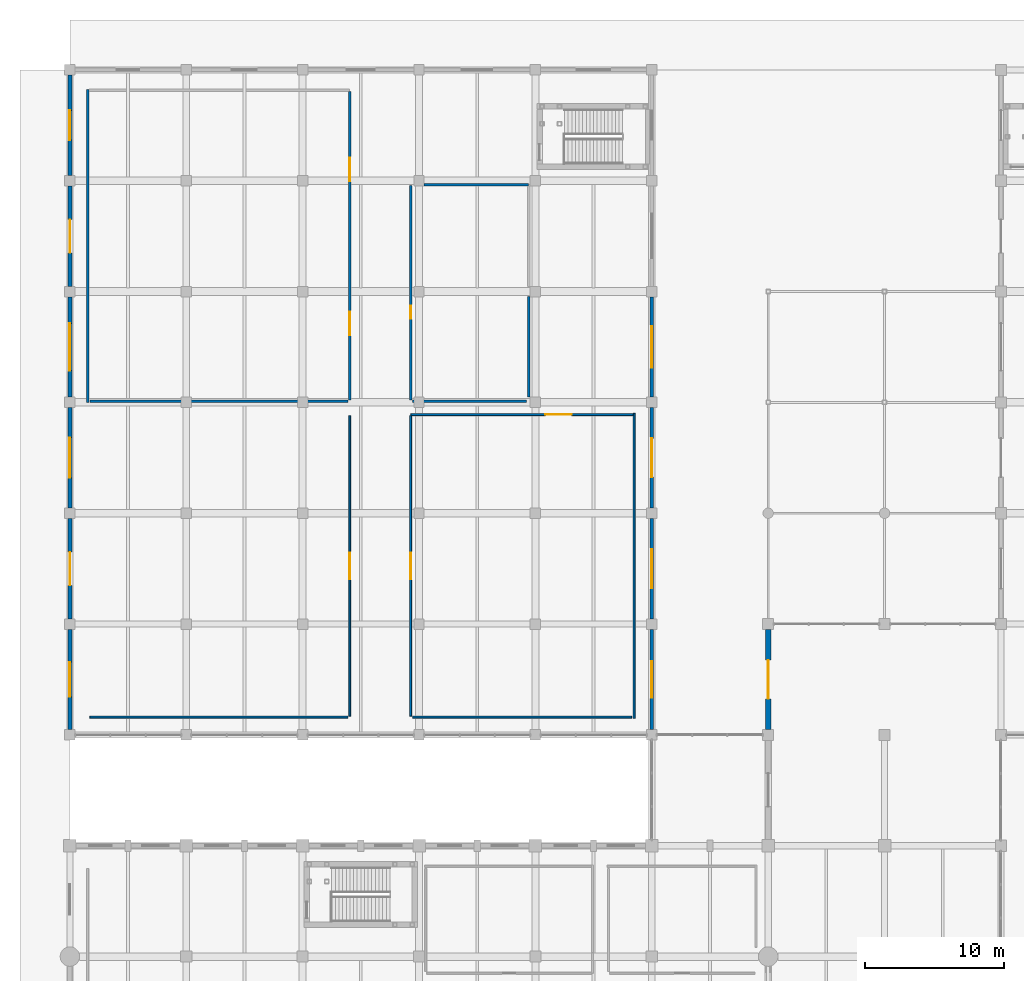
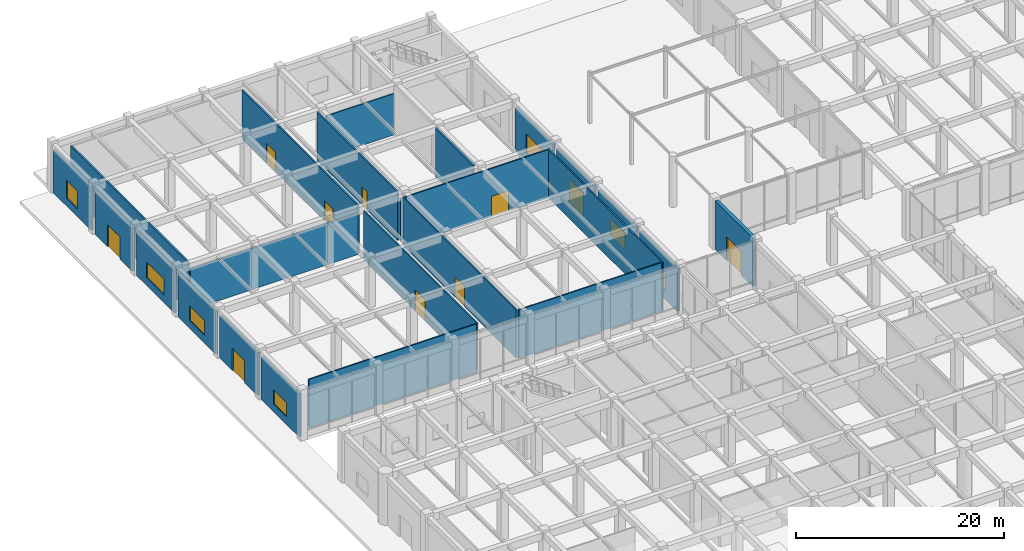
# One storey, part 54 of 76: 24 walls, 10 doors, 7 windows, 17 openings.
"""IFC4 building model written with IfcOpenShell, lengths in metres."""

from ifc_helpers import new_model, si_unit, direction, frame, frame_2d, origin, place, context, subcontext, project, spatial, rectangle, extrude, material, layer, layer_set, type_object, element, fill, save


model = new_model("IFC4")

# Units and contexts
model_context = context("Model", 3, precision=1e-05, world=origin(), true_north=direction((0.0, 1.0)))
body_context = subcontext(model_context, "Body", "Model", "MODEL_VIEW")
ifc_project = project(units=[si_unit("LENGTHUNIT", "METRE"), si_unit("AREAUNIT", "SQUARE_METRE"), si_unit("VOLUMEUNIT", "CUBIC_METRE"), si_unit("PLANEANGLEUNIT", "RADIAN"), si_unit("MASSUNIT", "GRAM", prefix="KILO")], contexts=[model_context])

# Site, building, storey
site_placement = place(None, origin())
site = spatial("IfcSite", under=ifc_project, at=site_placement, CompositionType="ELEMENT")
building_placement = place(site_placement, origin())
building = spatial("IfcBuilding", under=site, at=building_placement, Name="Naruveol Harbour Congress Hotel", CompositionType="ELEMENT")
storey_placement = place(building_placement, origin())
storey = spatial("IfcBuildingStorey", under=building, at=storey_placement, Name="L00", CompositionType="ELEMENT", Elevation=0.0)

# Wall, openings, doors
ifc_material_1 = material(Name="Autoclaved Aerated Concrete Block", Category="concrete")
ifc_layer_1 = layer(ifc_material_1, 0.179931640625)
ifc_layer_set_1 = layer_set([ifc_layer_1], Name="Autoclaved Aerated Concrete Block")
wall_type_1 = type_object("IfcWallType", Name="ACOUSTIC HALL PARTITION WALL 180 EI60", PredefinedType="PARTITIONING", material=ifc_layer_set_1)
wall_1_placement = place(storey_placement, frame((20.199951171875, 88.159912109375, 0.0), z_axis=(0.0, 0.0, 1.0), x_axis=(0.0, 1.0, 0.0)))
wall_1 = element("IfcWall", 1, at=wall_1_placement, inside=storey, type_object=wall_type_1, Name="Mineral Hydrotherapy and Sauna Suite east entry wall PW-180", PredefinedType="PARTITIONING", context=body_context, shape_type="SweptSolid", body=[
    extrude(rectangle(XDim=22.280029296875, YDim=0.179931640625, at=frame_2d((11.14013671875, 0.0))), origin(), (0.0, 0.0, 1.0), 5.675048828125),
])
opening_1_placement = place(wall_1_placement, frame((4.699951171875, 0.0, 0.0)))
opening_1 = element("IfcOpeningElement", 2, at=opening_1_placement, cuts=wall_1, Name="Opening ID-MT-20", PredefinedType="OPENING", context=body_context, shape_type="SweptSolid", body=[
    extrude(rectangle(XDim=1.699951171875, YDim=2.300048828125, at=frame_2d((0.85009765625, 1.14990234375))), frame((0.0, 0.099853515625, 0.0), z_axis=(0.0, -1.0, 0.0), x_axis=(1.0, 0.0, 0.0)), (0.0, 0.0, 1.0), 0.199951171875),
])
opening_2_placement = place(wall_1_placement, frame((15.800048828125, 0.0, 0.0)))
opening_2 = element("IfcOpeningElement", 3, at=opening_2_placement, cuts=wall_1, Name="Opening ID-MT-20B", PredefinedType="OPENING", context=body_context, shape_type="SweptSolid", body=[
    extrude(rectangle(XDim=1.699951171875, YDim=2.300048828125, at=frame_2d((0.85009765625, 1.14990234375))), frame((0.0, 0.099853515625, 0.0), z_axis=(0.0, -1.0, 0.0), x_axis=(1.0, 0.0, 0.0)), (0.0, 0.0, 1.0), 0.199951171875),
])
ifc_material_2 = material(Name="Timber & Steel Acoustic Leaf", Category="steel")
door_type_1 = type_object("IfcDoorType", Name="MEETING SALON DOUBLE DOOR 1700X2300", OperationType="DOUBLE_DOOR_SINGLE_SWING", PredefinedType="DOOR", material=ifc_material_2)
door_1_placement = place(opening_1_placement, origin())
door_1 = element("IfcDoor", 4, at=door_1_placement, inside=storey, type_object=door_type_1, Name="Mineral Hydrotherapy and Sauna Suite Entrance Door", OperationType="DOUBLE_DOOR_SINGLE_SWING", OverallHeight=2.300048828125, OverallWidth=1.699951171875, PredefinedType="DOOR", context=body_context, shape_type="SweptSolid", body=[
    extrude(rectangle(XDim=1.699951171875, YDim=2.300048828125, at=frame_2d((0.85009765625, 1.14990234375))), frame((0.0, 0.02490234375, 0.0), z_axis=(0.0, -1.0, 0.0), x_axis=(1.0, 0.0, 0.0)), (0.0, 0.0, 1.0), 0.050048828125),
])
fill(opening_1, door_1)
door_2_placement = place(opening_2_placement, origin())
door_2 = element("IfcDoor", 5, at=door_2_placement, inside=storey, type_object=door_type_1, Name="Mineral Hydrotherapy and Sauna Suite Second Exit Door", OperationType="DOUBLE_DOOR_SINGLE_SWING", OverallHeight=2.300048828125, OverallWidth=1.699951171875, PredefinedType="DOOR", context=body_context, shape_type="SweptSolid", body=[
    extrude(rectangle(XDim=1.699951171875, YDim=2.300048828125, at=frame_2d((0.85009765625, 1.14990234375))), frame((0.0, 0.02490234375, 0.0), z_axis=(0.0, -1.0, 0.0), x_axis=(1.0, 0.0, 0.0)), (0.0, 0.0, 1.0), 0.050048828125),
])
fill(opening_2, door_2)

# Wall
wall_2_placement = place(storey_placement, frame((1.449951171875, 88.080078125, 0.0), z_axis=(0.0, 0.0, 1.0), x_axis=(1.0, 0.0, 0.0)))
element("IfcWall", 6, at=wall_2_placement, inside=storey, type_object=wall_type_1, Name="Mineral Hydrotherapy and Sauna Suite south partition PW-180", PredefinedType="PARTITIONING", context=body_context, shape_type="SweptSolid", body=[
    extrude(rectangle(XDim=18.610107421875, YDim=0.179931640625, at=frame_2d((9.30517578125, 0.0))), origin(), (0.0, 0.0, 1.0), 4.85009765625),
])

# Wall, opening, door
wall_3_placement = place(storey_placement, frame((24.60009765625, 88.159912109375, 0.0), z_axis=(0.0, 0.0, 1.0), x_axis=(0.0, 1.0, 0.0)))
wall_3 = element("IfcWall", 7, at=wall_3_placement, inside=storey, type_object=wall_type_1, Name="Pool Filtration and Treatment Room west entry wall PW-180", PredefinedType="PARTITIONING", context=body_context, shape_type="SweptSolid", body=[
    extrude(rectangle(XDim=15.47998046875, YDim=0.179931640625, at=frame_2d((7.739990234375, 0.0))), origin(), (0.0, 0.0, 1.0), 5.675048828125),
])
opening_3_placement = place(wall_3_placement, frame((5.864013671875, 0.0, 0.0)))
opening_3 = element("IfcOpeningElement", 8, at=opening_3_placement, cuts=wall_3, Name="Opening FD-ST-22", PredefinedType="OPENING", context=body_context, shape_type="SweptSolid", body=[
    extrude(rectangle(XDim=0.93994140625, YDim=2.14990234375, at=frame_2d((0.469970703125, 1.074951171875))), frame((0.0, 0.099853515625, 0.0), z_axis=(0.0, -1.0, 0.0), x_axis=(1.0, 0.0, 0.0)), (0.0, 0.0, 1.0), 0.199951171875),
])
ifc_material_3 = material(Name="Timber & Steel Acoustic Leaf", Category="steel")
door_type_2 = type_object("IfcDoorType", Name="HOUSEKEEPING AND STORE FIRE DOOR 940X2150", OperationType="NOTDEFINED", PredefinedType="DOOR", material=ifc_material_3)
door_3_placement = place(opening_3_placement, origin())
door_3 = element("IfcDoor", 9, at=door_3_placement, inside=storey, type_object=door_type_2, Name="Pool Filtration and Treatment Room Fire Door", OperationType="SINGLE_SWING_RIGHT", OverallHeight=2.14990234375, OverallWidth=0.93994140625, PredefinedType="DOOR", context=body_context, shape_type="SweptSolid", body=[
    extrude(rectangle(XDim=0.93994140625, YDim=2.14990234375, at=frame_2d((0.469970703125, 1.074951171875))), frame((0.0, 0.02490234375, 0.0), z_axis=(0.0, -1.0, 0.0), x_axis=(1.0, 0.0, 0.0)), (0.0, 0.0, 1.0), 0.050048828125),
])
fill(opening_3, door_3)

# Walls
wall_4_placement = place(storey_placement, frame((24.739990234375, 88.080078125, 0.0), z_axis=(0.0, 0.0, 1.0), x_axis=(1.0, 0.0, 0.0)))
element("IfcWall", 10, at=wall_4_placement, inside=storey, type_object=wall_type_1, Name="Pool Filtration and Treatment Room south partition PW-180", PredefinedType="PARTITIONING", context=body_context, shape_type="SweptSolid", body=[
    extrude(rectangle(XDim=8.2099609375, YDim=0.179931640625, at=frame_2d((4.10498046875, 0.0))), origin(), (0.0, 0.0, 1.0), 4.85009765625),
])
wall_5_placement = place(storey_placement, frame((1.280029296875, 88.0, 0.0), z_axis=(0.0, 0.0, 1.0), x_axis=(0.0, 1.0, 0.0)))
element("IfcWall", 11, at=wall_5_placement, inside=storey, type_object=wall_type_1, Name="Mineral Hydrotherapy and Sauna Suite west enclosure partition PW-180", PredefinedType="PARTITIONING", context=body_context, shape_type="SweptSolid", body=[
    extrude(rectangle(XDim=22.60009765625, YDim=0.179931640625, at=frame_2d((11.300048828125, 0.0))), origin(), (0.0, 0.0, 1.0), 5.675048828125),
])
wall_6_placement = place(storey_placement, frame((33.1201171875, 88.3740234375, 0.0), z_axis=(0.0, 0.0, 1.0), x_axis=(0.0, 1.0, 0.0)))
element("IfcWall", 12, at=wall_6_placement, inside=storey, type_object=wall_type_1, Name="Pool Filtration and Treatment Room east enclosure partition PW-180", PredefinedType="PARTITIONING", context=body_context, shape_type="SweptSolid", body=[
    extrude(rectangle(XDim=7.251953125, YDim=0.179931640625, at=frame_2d((3.6259765625, 0.0))), origin(), (0.0, 0.0, 1.0), 5.675048828125),
])
wall_7_placement = place(storey_placement, frame((25.574951171875, 103.719970703125, 0.0), z_axis=(0.0, 0.0, 1.0), x_axis=(1.0, 0.0, 0.0)))
element("IfcWall", 13, at=wall_7_placement, inside=storey, type_object=wall_type_1, Name="Pool Filtration and Treatment Room north enclosure partition PW-180", PredefinedType="PARTITIONING", context=body_context, shape_type="SweptSolid", body=[
    extrude(rectangle(XDim=7.525146484375, YDim=0.179931640625, at=frame_2d((3.7626953125, 0.0))), origin(), (0.0, 0.0, 1.0), 4.85009765625),
])

# Wall, opening, door
ifc_material_4 = material(Name="Acoustic Double Stud Gypsum", Category="gypsum")
ifc_layer_2 = layer(ifc_material_4, 0.139892578125)
ifc_layer_set_2 = layer_set([ifc_layer_2], Name="Acoustic Double Stud Gypsum")
wall_type_2 = type_object("IfcWallType", Name="ACOUSTIC MEETING PARTITION WALL 140", PredefinedType="PARTITIONING", material=ifc_layer_set_2)
wall_8_placement = place(storey_placement, frame((20.199951171875, 65.360107421875, 0.0), z_axis=(0.0, 0.0, 1.0), x_axis=(0.0, 1.0, 0.0)))
wall_8 = element("IfcWall", 14, at=wall_8_placement, inside=storey, type_object=wall_type_2, Name="Thermal Spa Reception Lounge east entry wall PW-140", PredefinedType="PARTITIONING", context=body_context, shape_type="SweptSolid", body=[
    extrude(rectangle(XDim=21.679931640625, YDim=0.139892578125, at=frame_2d((10.83984375, 0.0))), origin(), (0.0, 0.0, 1.0), 5.675048828125),
])
opening_4_placement = place(wall_8_placement, frame((9.889892578125, 0.0, 0.0)))
opening_4 = element("IfcOpeningElement", 15, at=opening_4_placement, cuts=wall_8, Name="Opening ID-LG-19", PredefinedType="OPENING", context=body_context, shape_type="SweptSolid", body=[
    extrude(rectangle(XDim=1.89990234375, YDim=2.39990234375, at=frame_2d((0.949951171875, 1.199951171875))), frame((0.0, 0.079833984375, 0.0), z_axis=(0.0, -1.0, 0.0), x_axis=(1.0, 0.0, 0.0)), (0.0, 0.0, 1.0), 0.159912109375),
])
ifc_material_5 = material(Name="Timber & Steel Acoustic Leaf", Category="steel")
door_type_3 = type_object("IfcDoorType", Name="RESTAURANT AND LOUNGE GLAZED DOOR 1900X2400", OperationType="DOUBLE_DOOR_SINGLE_SWING", PredefinedType="DOOR", material=ifc_material_5)
door_4_placement = place(opening_4_placement, origin())
door_4 = element("IfcDoor", 16, at=door_4_placement, inside=storey, type_object=door_type_3, Name="Thermal Spa Reception Lounge Entrance Door", OperationType="DOUBLE_DOOR_SINGLE_SWING", OverallHeight=2.39990234375, OverallWidth=1.89990234375, PredefinedType="DOOR", context=body_context, shape_type="SweptSolid", body=[
    extrude(rectangle(XDim=1.89990234375, YDim=2.39990234375, at=frame_2d((0.949951171875, 1.199951171875))), frame((0.0, 0.02490234375, 0.0), z_axis=(0.0, -1.0, 0.0), x_axis=(1.0, 0.0, 0.0)), (0.0, 0.0, 1.0), 0.050048828125),
])
fill(opening_4, door_4)

# Wall
wall_9_placement = place(storey_placement, frame((1.449951171875, 65.280029296875, 0.0), z_axis=(0.0, 0.0, 1.0), x_axis=(1.0, 0.0, 0.0)))
element("IfcWall", 17, at=wall_9_placement, inside=storey, type_object=wall_type_2, Name="Thermal Spa Reception Lounge south partition PW-140", PredefinedType="PARTITIONING", context=body_context, shape_type="SweptSolid", body=[
    extrude(rectangle(XDim=18.610107421875, YDim=0.139892578125, at=frame_2d((9.30517578125, 0.0))), origin(), (0.0, 0.0, 1.0), 5.675048828125),
])

# Wall, opening, door
wall_10_placement = place(storey_placement, frame((24.60009765625, 65.360107421875, 0.0), z_axis=(0.0, 0.0, 1.0), x_axis=(0.0, 1.0, 0.0)))
wall_10 = element("IfcWall", 18, at=wall_10_placement, inside=storey, type_object=wall_type_2, Name="Spa Changing and Locker Rooms west entry wall PW-140", PredefinedType="PARTITIONING", context=body_context, shape_type="SweptSolid", body=[
    extrude(rectangle(XDim=21.679931640625, YDim=0.139892578125, at=frame_2d((10.83984375, 0.0))), origin(), (0.0, 0.0, 1.0), 5.675048828125),
])
opening_5_placement = place(wall_10_placement, frame((9.889892578125, 0.0, 0.0)))
opening_5 = element("IfcOpeningElement", 19, at=opening_5_placement, cuts=wall_10, Name="Opening ID-LG-21", PredefinedType="OPENING", context=body_context, shape_type="SweptSolid", body=[
    extrude(rectangle(XDim=1.89990234375, YDim=2.39990234375, at=frame_2d((0.949951171875, 1.199951171875))), frame((0.0, 0.079833984375, 0.0), z_axis=(0.0, -1.0, 0.0), x_axis=(1.0, 0.0, 0.0)), (0.0, 0.0, 1.0), 0.159912109375),
])
door_5_placement = place(opening_5_placement, origin())
door_5 = element("IfcDoor", 20, at=door_5_placement, inside=storey, type_object=door_type_3, Name="Spa Changing and Locker Rooms Entrance Door", OperationType="DOUBLE_DOOR_SINGLE_SWING", OverallHeight=2.39990234375, OverallWidth=1.89990234375, PredefinedType="DOOR", context=body_context, shape_type="SweptSolid", body=[
    extrude(rectangle(XDim=1.89990234375, YDim=2.39990234375, at=frame_2d((0.949951171875, 1.199951171875))), frame((0.0, 0.02490234375, 0.0), z_axis=(0.0, -1.0, 0.0), x_axis=(1.0, 0.0, 0.0)), (0.0, 0.0, 1.0), 0.050048828125),
])
fill(opening_5, door_5)

# Walls
wall_11_placement = place(storey_placement, frame((24.739990234375, 65.280029296875, 0.0), z_axis=(0.0, 0.0, 1.0), x_axis=(1.0, 0.0, 0.0)))
element("IfcWall", 21, at=wall_11_placement, inside=storey, type_object=wall_type_2, Name="Spa Changing and Locker Rooms south partition PW-140", PredefinedType="PARTITIONING", context=body_context, shape_type="SweptSolid", body=[
    extrude(rectangle(XDim=15.81005859375, YDim=0.139892578125, at=frame_2d((7.905029296875, 0.0))), origin(), (0.0, 0.0, 1.0), 5.675048828125),
])
wall_12_placement = place(storey_placement, frame((40.719970703125, 65.199951171875, 0.0), z_axis=(0.0, 0.0, 1.0), x_axis=(0.0, 1.0, 0.0)))
element("IfcWall", 22, at=wall_12_placement, inside=storey, type_object=wall_type_2, Name="Spa Changing and Locker Rooms east enclosure partition PW-140", PredefinedType="PARTITIONING", context=body_context, shape_type="SweptSolid", body=[
    extrude(rectangle(XDim=22.0, YDim=0.139892578125, at=frame_2d((11.0, 0.0))), origin(), (0.0, 0.0, 1.0), 5.675048828125),
])

# Wall, opening, door
wall_13_placement = place(storey_placement, frame((24.612060546875, 87.1201171875, 0.0), z_axis=(0.0, 0.0, 1.0), x_axis=(1.0, 0.0, 0.0)))
wall_13 = element("IfcWall", 23, at=wall_13_placement, inside=storey, type_object=wall_type_2, Name="Spa Changing and Locker Rooms north enclosure partition PW-140", PredefinedType="PARTITIONING", context=body_context, shape_type="SweptSolid", body=[
    extrude(rectangle(XDim=16.037841796875, YDim=0.139892578125, at=frame_2d((8.01904296875, 0.0))), origin(), (0.0, 0.0, 1.0), 5.675048828125),
])
opening_6_placement = place(wall_13_placement, frame((9.699951171875, 0.0, 0.0)))
opening_6 = element("IfcOpeningElement", 24, at=opening_6_placement, cuts=wall_13, Name="Opening ID-LG-21B", PredefinedType="OPENING", context=body_context, shape_type="SweptSolid", body=[
    extrude(rectangle(XDim=1.89990234375, YDim=2.39990234375, at=frame_2d((0.949951171875, 1.199951171875))), frame((0.0, 0.079833984375, 0.0), z_axis=(0.0, -1.0, 0.0), x_axis=(1.0, 0.0, 0.0)), (0.0, 0.0, 1.0), 0.159912109375),
])
door_6_placement = place(opening_6_placement, origin())
door_6 = element("IfcDoor", 25, at=door_6_placement, inside=storey, type_object=door_type_3, Name="Spa Changing and Locker Rooms Second Exit Door", OperationType="DOUBLE_DOOR_SINGLE_SWING", OverallHeight=2.39990234375, OverallWidth=1.89990234375, PredefinedType="DOOR", context=body_context, shape_type="SweptSolid", body=[
    extrude(rectangle(XDim=1.89990234375, YDim=2.39990234375, at=frame_2d((0.949951171875, 1.199951171875))), frame((0.0, 0.02490234375, 0.0), z_axis=(0.0, -1.0, 0.0), x_axis=(1.0, 0.0, 0.0)), (0.0, 0.0, 1.0), 0.050048828125),
])
fill(opening_6, door_6)

# Wall, opening, window
ifc_material_6 = material(Name="Precast concrete C40/50", Category="concrete")
ifc_layer_3 = layer(ifc_material_6, 0.280029296875)
ifc_layer_set_3 = layer_set([ifc_layer_3], Name="Precast concrete C40/50")
wall_type_3 = type_object("IfcWallType", Name="ARCHITECTURAL PRECAST FACADE WALL 280", PredefinedType="SOLIDWALL", material=ifc_layer_set_3)
wall_14_placement = place(storey_placement, frame((0.0, 64.375, 0.0), z_axis=(0.0, 0.0, 1.0), x_axis=(0.0, 1.0, 0.0)))
wall_14 = element("IfcWall", 26, at=wall_14_placement, inside=storey, type_object=wall_type_3, Name="Spa west facade EW-280", PredefinedType="SOLIDWALL", context=body_context, shape_type="SweptSolid", body=[
    extrude(rectangle(XDim=7.25, YDim=0.280029296875, at=frame_2d((3.625, 0.0))), origin(), (0.0, 0.0, 1.0), 5.0),
])
opening_7_placement = place(wall_14_placement, frame((2.375, 0.0, 0.89990234375)))
opening_7 = element("IfcOpeningElement", 27, at=opening_7_placement, cuts=wall_14, Name="Opening W-22", PredefinedType="OPENING", context=body_context, shape_type="SweptSolid", body=[
    extrude(rectangle(XDim=2.5, YDim=1.64990234375, at=frame_2d((1.25, 0.824951171875))), frame((0.0, 0.14990234375, 0.0), z_axis=(0.0, -1.0, 0.0), x_axis=(1.0, 0.0, 0.0)), (0.0, 0.0, 1.0), 0.300048828125),
])
ifc_material_7 = material(Name="Low-E Triple Glazing in Thermal Aluminium", Category="aluminium")
window_type_1 = type_object("IfcWindowType", Name="BREAKOUT SALON WINDOW 2500X1650", PartitioningType="DOUBLE_PANEL_VERTICAL", PredefinedType="WINDOW", material=ifc_material_7)
window_1_placement = place(opening_7_placement, origin())
window_1 = element("IfcWindow", 28, at=window_1_placement, inside=storey, type_object=window_type_1, Name="Window W-22 #83", OverallHeight=1.64990234375, OverallWidth=2.5, PartitioningType="DOUBLE_PANEL_VERTICAL", PredefinedType="WINDOW", context=body_context, shape_type="SweptSolid", body=[
    extrude(rectangle(XDim=2.5, YDim=1.64990234375, at=frame_2d((1.25, 0.824951171875))), frame((0.0, 0.030029296875, 0.0), z_axis=(0.0, -1.0, 0.0), x_axis=(1.0, 0.0, 0.0)), (0.0, 0.0, 1.0), 0.06005859375),
])
fill(opening_7, window_1)

# Wall, opening, door
wall_15_placement = place(storey_placement, frame((0.0, 72.375, 0.0), z_axis=(0.0, 0.0, 1.0), x_axis=(0.0, 1.0, 0.0)))
wall_15 = element("IfcWall", 29, at=wall_15_placement, inside=storey, type_object=wall_type_3, Name="Spa west facade EW-280", PredefinedType="SOLIDWALL", context=body_context, shape_type="SweptSolid", body=[
    extrude(rectangle(XDim=7.25, YDim=0.280029296875, at=frame_2d((3.625, 0.0))), origin(), (0.0, 0.0, 1.0), 5.0),
])
opening_8_placement = place(wall_15_placement, frame((2.425048828125, 0.0, 0.0)))
opening_8 = element("IfcOpeningElement", 30, at=opening_8_placement, cuts=wall_15, Name="Opening E5", PredefinedType="OPENING", context=body_context, shape_type="SweptSolid", body=[
    extrude(rectangle(XDim=2.39990234375, YDim=2.60009765625, at=frame_2d((1.199951171875, 1.300048828125))), frame((0.0, 0.14990234375, 0.0), z_axis=(0.0, -1.0, 0.0), x_axis=(1.0, 0.0, 0.0)), (0.0, 0.0, 1.0), 0.300048828125),
])
ifc_material_8 = material(Name="Powder-Coated Steel & Insulated Glazing", Category="steel")
door_type_4 = type_object("IfcDoorType", Name="FINAL EXIT DOUBLE DOOR 2400X2600", OperationType="DOUBLE_DOOR_SINGLE_SWING", PredefinedType="DOOR", material=ifc_material_8)
door_7_placement = place(opening_8_placement, origin())
door_7 = element("IfcDoor", 31, at=door_7_placement, inside=storey, type_object=door_type_4, Name="Final Exit Door E5", OperationType="DOUBLE_DOOR_SINGLE_SWING", OverallHeight=2.60009765625, OverallWidth=2.39990234375, PredefinedType="DOOR", context=body_context, shape_type="SweptSolid", body=[
    extrude(rectangle(XDim=2.39990234375, YDim=2.60009765625, at=frame_2d((1.199951171875, 1.300048828125))), frame((0.0, 0.02490234375, 0.0), z_axis=(0.0, -1.0, 0.0), x_axis=(1.0, 0.0, 0.0)), (0.0, 0.0, 1.0), 0.050048828125),
])
fill(opening_8, door_7)

# Wall, opening, window
wall_16_placement = place(storey_placement, frame((0.0, 80.375, 0.0), z_axis=(0.0, 0.0, 1.0), x_axis=(0.0, 1.0, 0.0)))
wall_16 = element("IfcWall", 32, at=wall_16_placement, inside=storey, type_object=wall_type_3, Name="Spa west facade EW-280", PredefinedType="SOLIDWALL", context=body_context, shape_type="SweptSolid", body=[
    extrude(rectangle(XDim=7.25, YDim=0.280029296875, at=frame_2d((3.625, 0.0))), origin(), (0.0, 0.0, 1.0), 5.0),
])
opening_9_placement = place(wall_16_placement, frame((2.175048828125, 0.0, 0.89990234375)))
opening_9 = element("IfcOpeningElement", 33, at=opening_9_placement, cuts=wall_16, Name="Opening W-23", PredefinedType="OPENING", context=body_context, shape_type="SweptSolid", body=[
    extrude(rectangle(XDim=2.89990234375, YDim=1.75, at=frame_2d((1.449951171875, 0.875))), frame((0.0, 0.14990234375, 0.0), z_axis=(0.0, -1.0, 0.0), x_axis=(1.0, 0.0, 0.0)), (0.0, 0.0, 1.0), 0.300048828125),
])
ifc_material_9 = material(Name="Low-E Triple Glazing in Thermal Aluminium", Category="aluminium")
window_type_2 = type_object("IfcWindowType", Name="BOARDROOM HARBOUR WINDOW 2900X1750", PartitioningType="DOUBLE_PANEL_VERTICAL", PredefinedType="WINDOW", material=ifc_material_9)
window_2_placement = place(opening_9_placement, origin())
window_2 = element("IfcWindow", 34, at=window_2_placement, inside=storey, type_object=window_type_2, Name="Window W-23 #84", OverallHeight=1.75, OverallWidth=2.89990234375, PartitioningType="DOUBLE_PANEL_VERTICAL", PredefinedType="WINDOW", context=body_context, shape_type="SweptSolid", body=[
    extrude(rectangle(XDim=2.89990234375, YDim=1.75, at=frame_2d((1.449951171875, 0.875))), frame((0.0, 0.030029296875, 0.0), z_axis=(0.0, -1.0, 0.0), x_axis=(1.0, 0.0, 0.0)), (0.0, 0.0, 1.0), 0.06005859375),
])
fill(opening_9, window_2)

wall_17_placement = place(storey_placement, frame((0.0, 88.375, 0.0), z_axis=(0.0, 0.0, 1.0), x_axis=(0.0, 1.0, 0.0)))
wall_17 = element("IfcWall", 35, at=wall_17_placement, inside=storey, type_object=wall_type_3, Name="Spa west facade EW-280", PredefinedType="SOLIDWALL", context=body_context, shape_type="SweptSolid", body=[
    extrude(rectangle(XDim=7.25, YDim=0.280029296875, at=frame_2d((3.625, 0.0))), origin(), (0.0, 0.0, 1.0), 5.0),
])
opening_10_placement = place(wall_17_placement, frame((1.925048828125, 0.0, 0.89990234375)))
opening_10 = element("IfcOpeningElement", 36, at=opening_10_placement, cuts=wall_17, Name="Opening W-24", PredefinedType="OPENING", context=body_context, shape_type="SweptSolid", body=[
    extrude(rectangle(XDim=3.39990234375, YDim=1.85009765625, at=frame_2d((1.699951171875, 0.925048828125))), frame((0.0, 0.14990234375, 0.0), z_axis=(0.0, -1.0, 0.0), x_axis=(1.0, 0.0, 0.0)), (0.0, 0.0, 1.0), 0.300048828125),
])
ifc_material_10 = material(Name="Low-E Triple Glazing in Thermal Aluminium", Category="aluminium")
window_type_3 = type_object("IfcWindowType", Name="DELEGATES LOUNGE WINDOW 3400X1850", PartitioningType="DOUBLE_PANEL_VERTICAL", PredefinedType="WINDOW", material=ifc_material_10)
window_3_placement = place(opening_10_placement, origin())
window_3 = element("IfcWindow", 37, at=window_3_placement, inside=storey, type_object=window_type_3, Name="Window W-24 #85", OverallHeight=1.85009765625, OverallWidth=3.39990234375, PartitioningType="DOUBLE_PANEL_VERTICAL", PredefinedType="WINDOW", context=body_context, shape_type="SweptSolid", body=[
    extrude(rectangle(XDim=3.39990234375, YDim=1.85009765625, at=frame_2d((1.699951171875, 0.925048828125))), frame((0.0, 0.030029296875, 0.0), z_axis=(0.0, -1.0, 0.0), x_axis=(1.0, 0.0, 0.0)), (0.0, 0.0, 1.0), 0.06005859375),
])
fill(opening_10, window_3)

# Wall, opening, door
wall_18_placement = place(storey_placement, frame((0.0, 96.375, 0.0), z_axis=(0.0, 0.0, 1.0), x_axis=(0.0, 1.0, 0.0)))
wall_18 = element("IfcWall", 38, at=wall_18_placement, inside=storey, type_object=wall_type_3, Name="Spa west facade EW-280", PredefinedType="SOLIDWALL", context=body_context, shape_type="SweptSolid", body=[
    extrude(rectangle(XDim=7.25, YDim=0.280029296875, at=frame_2d((3.625, 0.0))), origin(), (0.0, 0.0, 1.0), 5.0),
])
opening_11_placement = place(wall_18_placement, frame((2.425048828125, 0.0, 0.0)))
opening_11 = element("IfcOpeningElement", 39, at=opening_11_placement, cuts=wall_18, Name="Opening E6", PredefinedType="OPENING", context=body_context, shape_type="SweptSolid", body=[
    extrude(rectangle(XDim=2.39990234375, YDim=2.60009765625, at=frame_2d((1.199951171875, 1.300048828125))), frame((0.0, 0.14990234375, 0.0), z_axis=(0.0, -1.0, 0.0), x_axis=(1.0, 0.0, 0.0)), (0.0, 0.0, 1.0), 0.300048828125),
])
door_8_placement = place(opening_11_placement, origin())
door_8 = element("IfcDoor", 40, at=door_8_placement, inside=storey, type_object=door_type_4, Name="Final Exit Door E6", OperationType="DOUBLE_DOOR_SINGLE_SWING", OverallHeight=2.60009765625, OverallWidth=2.39990234375, PredefinedType="DOOR", context=body_context, shape_type="SweptSolid", body=[
    extrude(rectangle(XDim=2.39990234375, YDim=2.60009765625, at=frame_2d((1.199951171875, 1.300048828125))), frame((0.0, 0.02490234375, 0.0), z_axis=(0.0, -1.0, 0.0), x_axis=(1.0, 0.0, 0.0)), (0.0, 0.0, 1.0), 0.050048828125),
])
fill(opening_11, door_8)

# Wall, opening, window
wall_19_placement = place(storey_placement, frame((0.0, 104.375, 0.0), z_axis=(0.0, 0.0, 1.0), x_axis=(0.0, 1.0, 0.0)))
wall_19 = element("IfcWall", 41, at=wall_19_placement, inside=storey, type_object=wall_type_3, Name="Spa west facade EW-280", PredefinedType="SOLIDWALL", context=body_context, shape_type="SweptSolid", body=[
    extrude(rectangle(XDim=7.25, YDim=0.280029296875, at=frame_2d((3.625, 0.0))), origin(), (0.0, 0.0, 1.0), 5.0),
])
opening_12_placement = place(wall_19_placement, frame((2.550048828125, 0.0, 0.89990234375)))
opening_12 = element("IfcOpeningElement", 42, at=opening_12_placement, cuts=wall_19, Name="Opening W-29", PredefinedType="OPENING", context=body_context, shape_type="SweptSolid", body=[
    extrude(rectangle(XDim=2.14990234375, YDim=2.10009765625, at=frame_2d((1.074951171875, 1.050048828125))), frame((0.0, 0.14990234375, 0.0), z_axis=(0.0, -1.0, 0.0), x_axis=(1.0, 0.0, 0.0)), (0.0, 0.0, 1.0), 0.300048828125),
])
ifc_material_11 = material(Name="Low-E Triple Glazing in Thermal Aluminium", Category="aluminium")
window_type_4 = type_object("IfcWindowType", Name="DINING TERRACE WINDOW 2150X2100", PartitioningType="DOUBLE_PANEL_VERTICAL", PredefinedType="WINDOW", material=ifc_material_11)
window_4_placement = place(opening_12_placement, origin())
window_4 = element("IfcWindow", 43, at=window_4_placement, inside=storey, type_object=window_type_4, Name="Window W-29 #86", OverallHeight=2.10009765625, OverallWidth=2.14990234375, PartitioningType="DOUBLE_PANEL_VERTICAL", PredefinedType="WINDOW", context=body_context, shape_type="SweptSolid", body=[
    extrude(rectangle(XDim=2.14990234375, YDim=2.10009765625, at=frame_2d((1.074951171875, 1.050048828125))), frame((0.0, 0.030029296875, 0.0), z_axis=(0.0, -1.0, 0.0), x_axis=(1.0, 0.0, 0.0)), (0.0, 0.0, 1.0), 0.06005859375),
])
fill(opening_12, window_4)

wall_20_placement = place(storey_placement, frame((42.0, 71.625, 0.0), z_axis=(0.0, 0.0, 1.0), x_axis=(0.0, -1.0, 0.0)))
wall_20 = element("IfcWall", 44, at=wall_20_placement, inside=storey, type_object=wall_type_3, Name="Spa forecourt wall EW-280", PredefinedType="SOLIDWALL", context=body_context, shape_type="SweptSolid", body=[
    extrude(rectangle(XDim=7.25, YDim=0.280029296875, at=frame_2d((3.625, 0.0))), origin(), (0.0, 0.0, 1.0), 5.0),
])
opening_13_placement = place(wall_20_placement, frame((2.324951171875, 0.0, 1.0)))
opening_13 = element("IfcOpeningElement", 45, at=opening_13_placement, cuts=wall_20, Name="Opening W-08", PredefinedType="OPENING", context=body_context, shape_type="SweptSolid", body=[
    extrude(rectangle(XDim=2.60009765625, YDim=1.85009765625, at=frame_2d((1.300048828125, 0.925048828125))), frame((0.0, 0.14990234375, 0.0), z_axis=(0.0, -1.0, 0.0), x_axis=(1.0, 0.0, 0.0)), (0.0, 0.0, 1.0), 0.300048828125),
])
ifc_material_12 = material(Name="Low-E Triple Glazing in Thermal Aluminium", Category="aluminium")
window_type_5 = type_object("IfcWindowType", Name="DIPLOMATIC SUITE WINDOW 2600X1850", PartitioningType="DOUBLE_PANEL_VERTICAL", PredefinedType="WINDOW", material=ifc_material_12)
window_5_placement = place(opening_13_placement, origin())
window_5 = element("IfcWindow", 46, at=window_5_placement, inside=storey, type_object=window_type_5, Name="Window W-08 #92", OverallHeight=1.85009765625, OverallWidth=2.60009765625, PartitioningType="DOUBLE_PANEL_VERTICAL", PredefinedType="WINDOW", context=body_context, shape_type="SweptSolid", body=[
    extrude(rectangle(XDim=2.60009765625, YDim=1.85009765625, at=frame_2d((1.300048828125, 0.925048828125))), frame((0.0, 0.030029296875, 0.0), z_axis=(0.0, -1.0, 0.0), x_axis=(1.0, 0.0, 0.0)), (0.0, 0.0, 1.0), 0.06005859375),
])
fill(opening_13, window_5)

wall_21_placement = place(storey_placement, frame((42.0, 79.625, 0.0), z_axis=(0.0, 0.0, 1.0), x_axis=(0.0, -1.0, 0.0)))
wall_21 = element("IfcWall", 47, at=wall_21_placement, inside=storey, type_object=wall_type_3, Name="Spa forecourt wall EW-280", PredefinedType="SOLIDWALL", context=body_context, shape_type="SweptSolid", body=[
    extrude(rectangle(XDim=7.25, YDim=0.280029296875, at=frame_2d((3.625, 0.0))), origin(), (0.0, 0.0, 1.0), 5.0),
])
opening_14_placement = place(wall_21_placement, frame((2.22509765625, 0.0, 1.0)))
opening_14 = element("IfcOpeningElement", 48, at=opening_14_placement, cuts=wall_21, Name="Opening W-09", PredefinedType="OPENING", context=body_context, shape_type="SweptSolid", body=[
    extrude(rectangle(XDim=2.800048828125, YDim=1.949951171875, at=frame_2d((1.39990234375, 0.97509765625))), frame((0.0, 0.14990234375, 0.0), z_axis=(0.0, -1.0, 0.0), x_axis=(1.0, 0.0, 0.0)), (0.0, 0.0, 1.0), 0.300048828125),
])
ifc_material_13 = material(Name="Low-E Triple Glazing in Thermal Aluminium", Category="aluminium")
window_type_6 = type_object("IfcWindowType", Name="PRESIDENTIAL SUITE WINDOW 2800X1950", PartitioningType="DOUBLE_PANEL_VERTICAL", PredefinedType="WINDOW", material=ifc_material_13)
window_6_placement = place(opening_14_placement, origin())
window_6 = element("IfcWindow", 49, at=window_6_placement, inside=storey, type_object=window_type_6, Name="Window W-09 #93", OverallHeight=1.949951171875, OverallWidth=2.800048828125, PartitioningType="DOUBLE_PANEL_VERTICAL", PredefinedType="WINDOW", context=body_context, shape_type="SweptSolid", body=[
    extrude(rectangle(XDim=2.800048828125, YDim=1.949951171875, at=frame_2d((1.39990234375, 0.97509765625))), frame((0.0, 0.030029296875, 0.0), z_axis=(0.0, -1.0, 0.0), x_axis=(1.0, 0.0, 0.0)), (0.0, 0.0, 1.0), 0.06005859375),
])
fill(opening_14, window_6)

# Wall, opening, door
wall_22_placement = place(storey_placement, frame((42.0, 87.625, 0.0), z_axis=(0.0, 0.0, 1.0), x_axis=(0.0, -1.0, 0.0)))
wall_22 = element("IfcWall", 50, at=wall_22_placement, inside=storey, type_object=wall_type_3, Name="Spa forecourt wall EW-280", PredefinedType="SOLIDWALL", context=body_context, shape_type="SweptSolid", body=[
    extrude(rectangle(XDim=7.25, YDim=0.280029296875, at=frame_2d((3.625, 0.0))), origin(), (0.0, 0.0, 1.0), 5.0),
])
opening_15_placement = place(wall_22_placement, frame((2.22509765625, 0.0, 0.0)))
opening_15 = element("IfcOpeningElement", 51, at=opening_15_placement, cuts=wall_22, Name="Opening ED-SPA1", PredefinedType="OPENING", context=body_context, shape_type="SweptSolid", body=[
    extrude(rectangle(XDim=2.800048828125, YDim=2.800048828125, at=frame_2d((1.39990234375, 1.39990234375))), frame((0.0, 0.14990234375, 0.0), z_axis=(0.0, -1.0, 0.0), x_axis=(1.0, 0.0, 0.0)), (0.0, 0.0, 1.0), 0.300048828125),
])
ifc_material_14 = material(Name="Powder-Coated Steel & Insulated Glazing", Category="steel")
door_type_5 = type_object("IfcDoorType", Name="MAIN ARRIVAL GLAZED ENTRANCE 2800X2800", OperationType="DOUBLE_DOOR_SINGLE_SWING", PredefinedType="DOOR", material=ifc_material_14)
door_9_placement = place(opening_15_placement, origin())
door_9 = element("IfcDoor", 52, at=door_9_placement, inside=storey, type_object=door_type_5, Name="Spa Forecourt Entrance Door ED-SPA1", OperationType="DOUBLE_DOOR_SINGLE_SWING", OverallHeight=2.800048828125, OverallWidth=2.800048828125, PredefinedType="DOOR", context=body_context, shape_type="SweptSolid", body=[
    extrude(rectangle(XDim=2.800048828125, YDim=2.800048828125, at=frame_2d((1.39990234375, 1.39990234375))), frame((0.0, 0.02490234375, 0.0), z_axis=(0.0, -1.0, 0.0), x_axis=(1.0, 0.0, 0.0)), (0.0, 0.0, 1.0), 0.050048828125),
])
fill(opening_15, door_9)

# Wall, opening, window
wall_23_placement = place(storey_placement, frame((42.0, 95.625, 0.0), z_axis=(0.0, 0.0, 1.0), x_axis=(0.0, -1.0, 0.0)))
wall_23 = element("IfcWall", 53, at=wall_23_placement, inside=storey, type_object=wall_type_3, Name="Spa forecourt wall EW-280", PredefinedType="SOLIDWALL", context=body_context, shape_type="SweptSolid", body=[
    extrude(rectangle(XDim=7.25, YDim=0.280029296875, at=frame_2d((3.625, 0.0))), origin(), (0.0, 0.0, 1.0), 5.0),
])
opening_16_placement = place(wall_23_placement, frame((2.125, 0.0, 1.0)))
opening_16 = element("IfcOpeningElement", 54, at=opening_16_placement, cuts=wall_23, Name="Opening W-10", PredefinedType="OPENING", context=body_context, shape_type="SweptSolid", body=[
    extrude(rectangle(XDim=3.0, YDim=2.199951171875, at=frame_2d((1.5, 1.10009765625))), frame((0.0, 0.14990234375, 0.0), z_axis=(0.0, -1.0, 0.0), x_axis=(1.0, 0.0, 0.0)), (0.0, 0.0, 1.0), 0.300048828125),
])
ifc_material_15 = material(Name="Low-E Triple Glazing in Thermal Aluminium", Category="aluminium")
window_type_7 = type_object("IfcWindowType", Name="SKY LOUNGE RIBBON WINDOW 3000X2200", PartitioningType="DOUBLE_PANEL_VERTICAL", PredefinedType="WINDOW", material=ifc_material_15)
window_7_placement = place(opening_16_placement, origin())
window_7 = element("IfcWindow", 55, at=window_7_placement, inside=storey, type_object=window_type_7, Name="Window W-10 #94", OverallHeight=2.199951171875, OverallWidth=3.0, PartitioningType="DOUBLE_PANEL_VERTICAL", PredefinedType="WINDOW", context=body_context, shape_type="SweptSolid", body=[
    extrude(rectangle(XDim=3.0, YDim=2.199951171875, at=frame_2d((1.5, 1.10009765625))), frame((0.0, 0.030029296875, 0.0), z_axis=(0.0, -1.0, 0.0), x_axis=(1.0, 0.0, 0.0)), (0.0, 0.0, 1.0), 0.06005859375),
])
fill(opening_16, window_7)

# Wall, opening, door
ifc_material_16 = material(Name="Concrete C40/50", Category="concrete")
ifc_layer_4 = layer(ifc_material_16, 0.3798828125)
ifc_layer_set_4 = layer_set([ifc_layer_4], Name="Concrete C40/50")
wall_type_4 = type_object("IfcWallType", Name="INSULATED GRANITE FACADE WALL 380", PredefinedType="SOLIDWALL", material=ifc_layer_set_4)
wall_24_placement = place(storey_placement, frame((50.39990234375, 64.39990234375, 0.0), z_axis=(0.0, 0.0, 1.0), x_axis=(0.0, 1.0, 0.0)))
wall_24 = element("IfcWall", 56, at=wall_24_placement, inside=storey, type_object=wall_type_4, Name="Main arrival forecourt north bay EW-380", PredefinedType="SOLIDWALL", context=body_context, shape_type="SweptSolid", body=[
    extrude(rectangle(XDim=7.2001953125, YDim=0.3798828125, at=frame_2d((3.60009765625, 0.0))), origin(), (0.0, 0.0, 1.0), 5.699951171875),
])
opening_17_placement = place(wall_24_placement, frame((2.199951171875, 0.0, 0.0)))
opening_17 = element("IfcOpeningElement", 57, at=opening_17_placement, cuts=wall_24, Name="Opening ED-MAIN1", PredefinedType="OPENING", context=body_context, shape_type="SweptSolid", body=[
    extrude(rectangle(XDim=2.800048828125, YDim=2.800048828125, at=frame_2d((1.39990234375, 1.39990234375))), frame((0.0, 0.199951171875, 0.0), z_axis=(0.0, -1.0, 0.0), x_axis=(1.0, 0.0, 0.0)), (0.0, 0.0, 1.0), 0.39990234375),
])
door_10_placement = place(opening_17_placement, origin())
door_10 = element("IfcDoor", 58, at=door_10_placement, inside=storey, type_object=door_type_5, Name="Main Forecourt Entrance Door ED-MAIN1", OperationType="DOUBLE_DOOR_SINGLE_SWING", OverallHeight=2.800048828125, OverallWidth=2.800048828125, PredefinedType="DOOR", context=body_context, shape_type="SweptSolid", body=[
    extrude(rectangle(XDim=2.800048828125, YDim=2.800048828125, at=frame_2d((1.39990234375, 1.39990234375))), frame((0.0, 0.02490234375, 0.0), z_axis=(0.0, -1.0, 0.0), x_axis=(1.0, 0.0, 0.0)), (0.0, 0.0, 1.0), 0.050048828125),
])
fill(opening_17, door_10)

save(model, "model.ifc")
